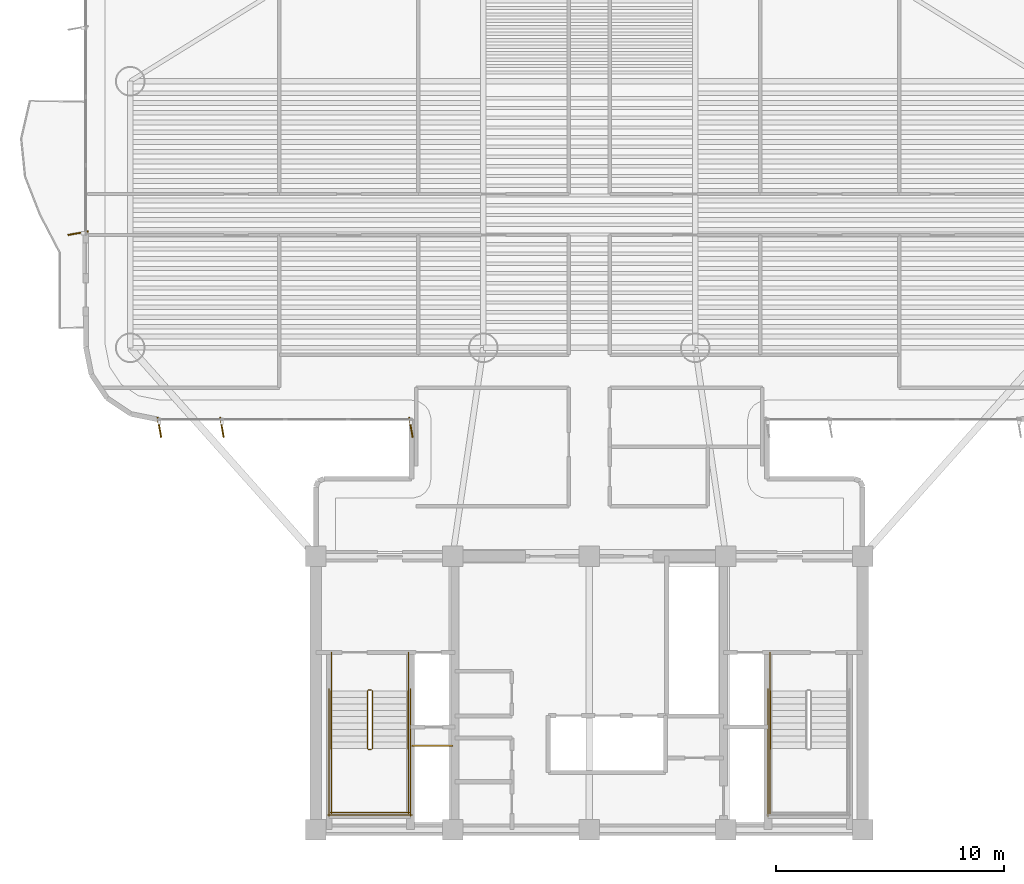
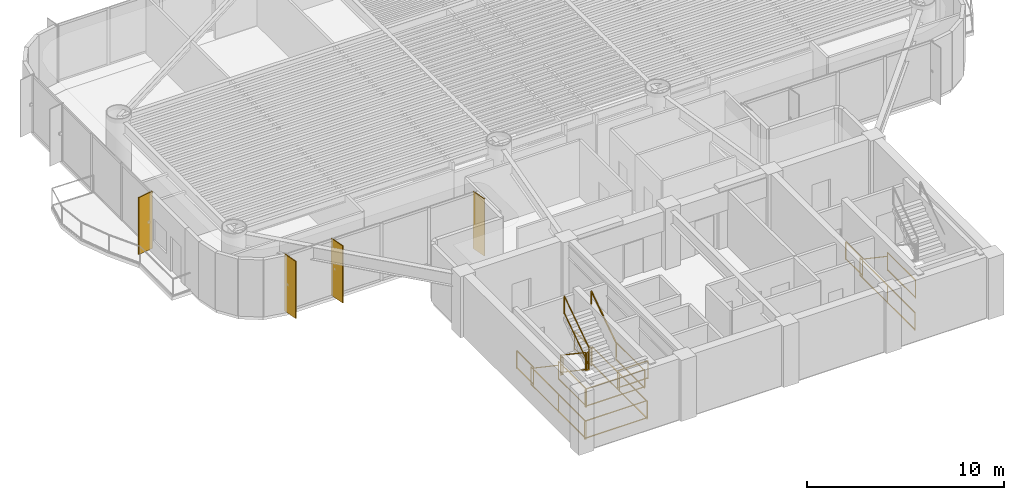
# One storey, part 13 of 16: 19 railings, 4 shading devices.
"""IFC4 building model written with IfcOpenShell, lengths in metres."""

from ifc_helpers import new_model, si_unit, direction, frame, origin, origin_2d, place, context, subcontext, project, spatial, rectangle, extrude, source, transform, mapped, material, layer, layer_set, material_profile, profile_set, type_object, element, save


model = new_model("IFC4")

# Units and contexts
model_context = context("Model", 3, precision=1e-05, world=origin(), true_north=direction((0.0, 1.0)))
body_context = subcontext(model_context, "Body", "Model", "MODEL_VIEW")
ifc_project = project(units=[si_unit("LENGTHUNIT", "METRE"), si_unit("AREAUNIT", "SQUARE_METRE"), si_unit("VOLUMEUNIT", "CUBIC_METRE"), si_unit("PLANEANGLEUNIT", "RADIAN"), si_unit("MASSUNIT", "GRAM", prefix="KILO")], contexts=[model_context])

# Site, building, storey
site_placement = place(None, origin())
site = spatial("IfcSite", under=ifc_project, at=site_placement, CompositionType="ELEMENT")
building_placement = place(site_placement, origin())
building = spatial("IfcBuilding", under=site, at=building_placement, Name="Brelvock Crest Care Tower", CompositionType="ELEMENT")
storey_placement = place(building_placement, frame((0.0, 0.0, 116.280029296875)))
storey = spatial("IfcBuildingStorey", under=building, at=storey_placement, Name="L29", CompositionType="ELEMENT", Elevation=116.280029296875)

# Railings
ifc_material_1 = material(Name="Steel Grade 350", Category="steel")
ifc_layer_1 = layer(ifc_material_1, 0.050048828125, Name="RL-STG1")
ifc_layer_set_1 = layer_set([ifc_layer_1], Name="Steel Grade 350")
railing_type_1 = type_object("IfcRailingType", Name="RL-STG1", PredefinedType="GUARDRAIL", material=ifc_layer_set_1)
railing_1_placement = place(storey_placement, frame((26.260009765625, 12.080078125, 0.18896484375)))
element("IfcRailing", 1, at=railing_1_placement, inside=storey, type_object=railing_type_1, Name="L29 ST-1 stair guard 1", PredefinedType="GUARDRAIL", context=body_context, shape_type="SweptSolid", body=[
    extrude(rectangle(XDim=0.048095703125, YDim=0.048095703125, at=origin_2d()), frame((0.0, -0.001708984375, 1.116943359375), z_axis=(0.0, -0.828861706735, 0.559453546873), x_axis=(1.0, 0.0, 0.0)), (0.0, 0.0, 1.0), 3.036376953125),
    extrude(rectangle(XDim=0.048095703125, YDim=0.048095703125, at=origin_2d()), frame((0.0, -0.001708984375, 0.05615234375), z_axis=(0.0, -0.828861706735, 0.559453546873), x_axis=(1.0, 0.0, 0.0)), (0.0, 0.0, 1.0), 3.036376953125),
    extrude(rectangle(XDim=0.0419921875, YDim=0.0419921875, at=origin_2d()), origin(), (0.0, 0.0, 1.0), 1.08984375),
    extrude(rectangle(XDim=0.0419921875, YDim=0.0419921875, at=origin_2d()), frame((0.0, -2.52001953125, 1.700927734375)), (0.0, 0.0, 1.0), 1.08984375),
])
railing_2_placement = place(storey_placement, frame((26.31005859375, 9.510009765625, 1.889892578125)))
element("IfcRailing", 2, at=railing_2_placement, inside=storey, type_object=railing_type_1, Name="L29 ST-1 stair guard 2", PredefinedType="GUARDRAIL", context=body_context, shape_type="SweptSolid", body=[
    extrude(rectangle(XDim=0.048095703125, YDim=0.048095703125, at=origin_2d()), frame((0.001953125, 0.0, 1.11572265625), z_axis=(1.0, 0.0, 0.0), x_axis=(0.0, 1.0, 0.0)), (0.0, 0.0, 1.0), 0.115966796875),
    extrude(rectangle(XDim=0.048095703125, YDim=0.048095703125, at=origin_2d()), frame((0.001953125, 0.0, 0.054931640625), z_axis=(1.0, 0.0, 0.0), x_axis=(0.0, 1.0, 0.0)), (0.0, 0.0, 1.0), 0.115966796875),
    extrude(rectangle(XDim=0.0419921875, YDim=0.0419921875, at=origin_2d()), origin(), (0.0, 0.0, 1.0), 1.08984375),
    extrude(rectangle(XDim=0.0419921875, YDim=0.0419921875, at=origin_2d()), frame((0.119873046875, 0.0, 0.0)), (0.0, 0.0, 1.0), 1.08984375),
])
for number, where, name in (
    (3, (24.679931640625, 9.56005859375, 1.889892578125), "L29 ST-1 stair guard 3"),
    (4, (28.06005859375, 9.56005859375, 1.889892578125), "L29 ST-1 stair guard 4"),
):
    element("IfcRailing", number, at=place(storey_placement, frame(where)), inside=storey, type_object=railing_type_1, Name=name, PredefinedType="GUARDRAIL", context=body_context, shape_type="SweptSolid", body=[
        extrude(rectangle(XDim=0.048095703125, YDim=0.048095703125, at=origin_2d()), frame((0.0, -0.001953125, 1.11572265625), z_axis=(0.0, -1.0, 0.0), x_axis=(1.0, 0.0, 0.0)), (0.0, 0.0, 1.0), 2.856201171875),
        extrude(rectangle(XDim=0.048095703125, YDim=0.048095703125, at=origin_2d()), frame((0.0, -0.001953125, 0.054931640625), z_axis=(0.0, -1.0, 0.0), x_axis=(1.0, 0.0, 0.0)), (0.0, 0.0, 1.0), 2.856201171875),
        extrude(rectangle(XDim=0.0419921875, YDim=0.0419921875, at=origin_2d()), origin(), (0.0, 0.0, 1.0), 1.08984375),
        extrude(rectangle(XDim=0.0419921875, YDim=0.0419921875, at=origin_2d()), frame((0.0, -2.860107421875, 0.0)), (0.0, 0.0, 1.0), 1.08984375),
    ])
railing_3_placement = place(storey_placement, frame((24.6298828125, 6.75, 1.889892578125)))
element("IfcRailing", 5, at=railing_3_placement, inside=storey, type_object=railing_type_1, Name="L29 ST-1 stair guard 5", PredefinedType="GUARDRAIL", context=body_context, shape_type="SweptSolid", body=[
    extrude(rectangle(XDim=0.048095703125, YDim=0.048095703125, at=origin_2d()), frame((0.001953125, 0.0, 1.11572265625), z_axis=(1.0, 0.0, 0.0), x_axis=(0.0, 1.0, 0.0)), (0.0, 0.0, 1.0), 3.476318359375),
    extrude(rectangle(XDim=0.048095703125, YDim=0.048095703125, at=origin_2d()), frame((0.001953125, 0.0, 0.054931640625), z_axis=(1.0, 0.0, 0.0), x_axis=(0.0, 1.0, 0.0)), (0.0, 0.0, 1.0), 3.476318359375),
    extrude(rectangle(XDim=0.0419921875, YDim=0.0419921875, at=origin_2d()), origin(), (0.0, 0.0, 1.0), 1.08984375),
    extrude(rectangle(XDim=0.0419921875, YDim=0.0419921875, at=origin_2d()), frame((3.480224609375, 0.0, 0.0)), (0.0, 0.0, 1.0), 1.08984375),
])
railing_4_placement = place(storey_placement, frame((26.47998046875, 9.56005859375, 2.078857421875)))
element("IfcRailing", 6, at=railing_4_placement, inside=storey, type_object=railing_type_1, Name="L29 ST-1 stair guard 6", PredefinedType="GUARDRAIL", context=body_context, shape_type="SweptSolid", body=[
    extrude(rectangle(XDim=0.048095703125, YDim=0.048095703125, at=origin_2d()), frame((0.0, 0.001708984375, 1.116943359375), z_axis=(0.0, 0.82882447046, 0.559508710537), x_axis=(-1.0, 0.0, 0.0)), (0.0, 0.0, 1.0), 3.036376953125),
    extrude(rectangle(XDim=0.048095703125, YDim=0.048095703125, at=origin_2d()), frame((0.0, 0.001708984375, 0.05615234375), z_axis=(0.0, 0.82882447046, 0.559508710537), x_axis=(-1.0, 0.0, 0.0)), (0.0, 0.0, 1.0), 3.036376953125),
    extrude(rectangle(XDim=0.0419921875, YDim=0.0419921875, at=origin_2d()), origin(), (0.0, 0.0, 1.0), 1.08984375),
    extrude(rectangle(XDim=0.0419921875, YDim=0.0419921875, at=origin_2d()), frame((0.0, 2.52001953125, 1.701171875)), (0.0, 0.0, 1.0), 1.08984375),
])
railing_5_placement = place(storey_placement, frame((26.31005859375, 12.1298828125, 0.0)))
element("IfcRailing", 7, at=railing_5_placement, inside=storey, type_object=railing_type_1, Name="L29 ST-1 stair guard 7", PredefinedType="GUARDRAIL", context=body_context, shape_type="SweptSolid", body=[
    extrude(rectangle(XDim=0.048095703125, YDim=0.048095703125, at=origin_2d()), frame((0.001953125, 0.0, 1.11572265625), z_axis=(1.0, 0.0, 0.0), x_axis=(0.0, 1.0, 0.0)), (0.0, 0.0, 1.0), 0.115966796875),
    extrude(rectangle(XDim=0.048095703125, YDim=0.048095703125, at=origin_2d()), frame((0.001953125, 0.0, 0.054931640625), z_axis=(1.0, 0.0, 0.0), x_axis=(0.0, 1.0, 0.0)), (0.0, 0.0, 1.0), 0.115966796875),
    extrude(rectangle(XDim=0.0419921875, YDim=0.0419921875, at=origin_2d()), origin(), (0.0, 0.0, 1.0), 1.08984375),
    extrude(rectangle(XDim=0.0419921875, YDim=0.0419921875, at=origin_2d()), frame((0.119873046875, 0.0, 0.0)), (0.0, 0.0, 1.0), 1.08984375),
])
for number, where, name in (
    (8, (24.679931640625, 13.780029296875, 0.0), "L29 ST-1 stair guard 8"),
    (9, (28.06005859375, 13.780029296875, 0.0), "L29 ST-1 stair guard 9"),
):
    element("IfcRailing", number, at=place(storey_placement, frame(where)), inside=storey, type_object=railing_type_1, Name=name, PredefinedType="GUARDRAIL", context=body_context, shape_type="SweptSolid", body=[
        extrude(rectangle(XDim=0.048095703125, YDim=0.048095703125, at=origin_2d()), frame((0.0, -0.001953125, 1.11572265625), z_axis=(0.0, -1.0, 0.0), x_axis=(1.0, 0.0, 0.0)), (0.0, 0.0, 1.0), 1.696044921875),
        extrude(rectangle(XDim=0.048095703125, YDim=0.048095703125, at=origin_2d()), frame((0.0, -0.001953125, 0.054931640625), z_axis=(0.0, -1.0, 0.0), x_axis=(1.0, 0.0, 0.0)), (0.0, 0.0, 1.0), 1.696044921875),
        extrude(rectangle(XDim=0.0419921875, YDim=0.0419921875, at=origin_2d()), origin(), (0.0, 0.0, 1.0), 1.08984375),
        extrude(rectangle(XDim=0.0419921875, YDim=0.0419921875, at=origin_2d()), frame((0.0, -1.699951171875, 0.0)), (0.0, 0.0, 1.0), 1.08984375),
    ])
for number, where, name in (
    (10, (24.580078125, 12.179931640625, 0.0), "L29 ST-1 stair guard 10"),
    (11, (28.159912109375, 12.179931640625, 0.0), "L29 ST-1 stair guard 11"),
):
    element("IfcRailing", number, at=place(storey_placement, frame(where)), inside=storey, type_object=railing_type_1, Name=name, PredefinedType="GUARDRAIL", context=body_context, shape_type="SweptSolid", body=[
        extrude(rectangle(XDim=0.048095703125, YDim=0.048095703125, at=origin_2d()), frame((0.0, -0.001953125, 1.11572265625), z_axis=(0.0, -1.0, 0.0), x_axis=(1.0, 0.0, 0.0)), (0.0, 0.0, 1.0), 5.575927734375),
        extrude(rectangle(XDim=0.048095703125, YDim=0.048095703125, at=origin_2d()), frame((0.0, -0.001953125, 0.054931640625), z_axis=(0.0, -1.0, 0.0), x_axis=(1.0, 0.0, 0.0)), (0.0, 0.0, 1.0), 5.575927734375),
        extrude(rectangle(XDim=0.0419921875, YDim=0.0419921875, at=origin_2d()), origin(), (0.0, 0.0, 1.0), 1.08984375),
        extrude(rectangle(XDim=0.0419921875, YDim=0.0419921875, at=origin_2d()), frame((0.0, -2.7900390625, 0.0)), (0.0, 0.0, 1.0), 1.08984375),
        extrude(rectangle(XDim=0.0419921875, YDim=0.0419921875, at=origin_2d()), frame((0.0, -5.579833984375, 0.0)), (0.0, 0.0, 1.0), 1.08984375),
    ])
railing_6_placement = place(storey_placement, frame((24.530029296875, 6.64990234375, 0.0)))
element("IfcRailing", 12, at=railing_6_placement, inside=storey, type_object=railing_type_1, Name="L29 ST-1 stair guard 12", PredefinedType="GUARDRAIL", context=body_context, shape_type="SweptSolid", body=[
    extrude(rectangle(XDim=0.048095703125, YDim=0.048095703125, at=origin_2d()), frame((0.001953125, 0.0, 1.11572265625), z_axis=(1.0, 0.0, 0.0), x_axis=(0.0, 1.0, 0.0)), (0.0, 0.0, 1.0), 3.676025390625),
    extrude(rectangle(XDim=0.048095703125, YDim=0.048095703125, at=origin_2d()), frame((0.001953125, 0.0, 0.054931640625), z_axis=(1.0, 0.0, 0.0), x_axis=(0.0, 1.0, 0.0)), (0.0, 0.0, 1.0), 3.676025390625),
    extrude(rectangle(XDim=0.0419921875, YDim=0.0419921875, at=origin_2d()), origin(), (0.0, 0.0, 1.0), 1.08984375),
    extrude(rectangle(XDim=0.0419921875, YDim=0.0419921875, at=origin_2d()), frame((3.679931640625, 0.0, 0.0)), (0.0, 0.0, 1.0), 1.08984375),
])
railing_7_placement = place(storey_placement, frame((43.93994140625, 9.56005859375, 1.889892578125)))
element("IfcRailing", 13, at=railing_7_placement, inside=storey, type_object=railing_type_1, Name="L29 ST-2 stair guard 3", PredefinedType="GUARDRAIL", context=body_context, shape_type="SweptSolid", body=[
    extrude(rectangle(XDim=0.048095703125, YDim=0.048095703125, at=origin_2d()), frame((0.0, -0.001953125, 1.11572265625), z_axis=(0.0, -1.0, 0.0), x_axis=(1.0, 0.0, 0.0)), (0.0, 0.0, 1.0), 2.856201171875),
    extrude(rectangle(XDim=0.048095703125, YDim=0.048095703125, at=origin_2d()), frame((0.0, -0.001953125, 0.054931640625), z_axis=(0.0, -1.0, 0.0), x_axis=(1.0, 0.0, 0.0)), (0.0, 0.0, 1.0), 2.856201171875),
    extrude(rectangle(XDim=0.0419921875, YDim=0.0419921875, at=origin_2d()), origin(), (0.0, 0.0, 1.0), 1.08984375),
    extrude(rectangle(XDim=0.0419921875, YDim=0.0419921875, at=origin_2d()), frame((0.0, -2.860107421875, 0.0)), (0.0, 0.0, 1.0), 1.08984375),
])
railing_8_placement = place(storey_placement, frame((43.93994140625, 13.780029296875, 0.0)))
element("IfcRailing", 14, at=railing_8_placement, inside=storey, type_object=railing_type_1, Name="L29 ST-2 stair guard 8", PredefinedType="GUARDRAIL", context=body_context, shape_type="SweptSolid", body=[
    extrude(rectangle(XDim=0.048095703125, YDim=0.048095703125, at=origin_2d()), frame((0.0, -0.001953125, 1.11572265625), z_axis=(0.0, -1.0, 0.0), x_axis=(1.0, 0.0, 0.0)), (0.0, 0.0, 1.0), 1.696044921875),
    extrude(rectangle(XDim=0.048095703125, YDim=0.048095703125, at=origin_2d()), frame((0.0, -0.001953125, 0.054931640625), z_axis=(0.0, -1.0, 0.0), x_axis=(1.0, 0.0, 0.0)), (0.0, 0.0, 1.0), 1.696044921875),
    extrude(rectangle(XDim=0.0419921875, YDim=0.0419921875, at=origin_2d()), origin(), (0.0, 0.0, 1.0), 1.08984375),
    extrude(rectangle(XDim=0.0419921875, YDim=0.0419921875, at=origin_2d()), frame((0.0, -1.699951171875, 0.0)), (0.0, 0.0, 1.0), 1.08984375),
])
railing_9_placement = place(storey_placement, frame((43.840087890625, 12.179931640625, 0.0)))
element("IfcRailing", 15, at=railing_9_placement, inside=storey, type_object=railing_type_1, Name="L29 ST-2 stair guard 10", PredefinedType="GUARDRAIL", context=body_context, shape_type="SweptSolid", body=[
    extrude(rectangle(XDim=0.048095703125, YDim=0.048095703125, at=origin_2d()), frame((0.0, -0.001953125, 1.11572265625), z_axis=(0.0, -1.0, 0.0), x_axis=(1.0, 0.0, 0.0)), (0.0, 0.0, 1.0), 5.575927734375),
    extrude(rectangle(XDim=0.048095703125, YDim=0.048095703125, at=origin_2d()), frame((0.0, -0.001953125, 0.054931640625), z_axis=(0.0, -1.0, 0.0), x_axis=(1.0, 0.0, 0.0)), (0.0, 0.0, 1.0), 5.575927734375),
    extrude(rectangle(XDim=0.0419921875, YDim=0.0419921875, at=origin_2d()), origin(), (0.0, 0.0, 1.0), 1.08984375),
    extrude(rectangle(XDim=0.0419921875, YDim=0.0419921875, at=origin_2d()), frame((0.0, -2.7900390625, 0.0)), (0.0, 0.0, 1.0), 1.08984375),
    extrude(rectangle(XDim=0.0419921875, YDim=0.0419921875, at=origin_2d()), frame((0.0, -5.579833984375, 0.0)), (0.0, 0.0, 1.0), 1.08984375),
])
railing_10_placement = place(storey_placement, frame((28.219970703125, 9.679931640625, 0.0)))
element("IfcRailing", 16, at=railing_10_placement, inside=storey, type_object=railing_type_1, Name="L29 Fire Riser Threshold Guard", PredefinedType="GUARDRAIL", context=body_context, shape_type="SweptSolid", body=[
    extrude(rectangle(XDim=0.048095703125, YDim=0.048095703125, at=origin_2d()), frame((0.001953125, 0.0, 1.11572265625), z_axis=(1.0, 0.0, 0.0), x_axis=(0.0, 1.0, 0.0)), (0.0, 0.0, 1.0), 1.776123046875),
    extrude(rectangle(XDim=0.048095703125, YDim=0.048095703125, at=origin_2d()), frame((0.001953125, 0.0, 0.054931640625), z_axis=(1.0, 0.0, 0.0), x_axis=(0.0, 1.0, 0.0)), (0.0, 0.0, 1.0), 1.776123046875),
    extrude(rectangle(XDim=0.0419921875, YDim=0.0419921875, at=origin_2d()), origin(), (0.0, 0.0, 1.0), 1.08984375),
    extrude(rectangle(XDim=0.0419921875, YDim=0.0419921875, at=origin_2d()), frame((1.780029296875, 0.0, 0.0)), (0.0, 0.0, 1.0), 1.08984375),
])
ifc_layer_2 = layer(ifc_material_1, 0.048095703125, Name="RL-STH1")
ifc_layer_set_2 = layer_set([ifc_layer_2], Name="Steel Grade 350")
railing_type_2 = type_object("IfcRailingType", Name="RL-STH1", PredefinedType="HANDRAIL", material=ifc_layer_set_2)
railing_11_placement = place(storey_placement, frame((24.679931640625, 12.080078125, 0.18896484375)))
element("IfcRailing", 17, at=railing_11_placement, inside=storey, type_object=railing_type_2, Name="L29 ST-1 stair handrail 1", PredefinedType="HANDRAIL", context=body_context, shape_type="SweptSolid", body=[
    extrude(rectangle(XDim=0.048095703125, YDim=0.048095703125, at=origin_2d()), frame((0.0, -0.001708984375, 0.876953125), z_axis=(0.0, -0.828861706735, 0.559453546873), x_axis=(1.0, 0.0, 0.0)), (0.0, 0.0, 1.0), 3.036376953125),
    extrude(rectangle(XDim=0.0419921875, YDim=0.0419921875, at=origin_2d()), origin(), (0.0, 0.0, 1.0), 0.849853515625),
    extrude(rectangle(XDim=0.0419921875, YDim=0.0419921875, at=origin_2d()), frame((0.0, -2.52001953125, 1.700927734375)), (0.0, 0.0, 1.0), 0.849853515625),
])
railing_12_placement = place(storey_placement, frame((28.06005859375, 9.56005859375, 2.078857421875)))
element("IfcRailing", 18, at=railing_12_placement, inside=storey, type_object=railing_type_2, Name="L29 ST-1 stair handrail 2", PredefinedType="HANDRAIL", context=body_context, shape_type="SweptSolid", body=[
    extrude(rectangle(XDim=0.048095703125, YDim=0.048095703125, at=origin_2d()), frame((0.0, 0.001708984375, 0.876953125), z_axis=(0.0, 0.82882447046, 0.559508710537), x_axis=(-1.0, 0.0, 0.0)), (0.0, 0.0, 1.0), 3.036376953125),
    extrude(rectangle(XDim=0.0419921875, YDim=0.0419921875, at=origin_2d()), origin(), (0.0, 0.0, 1.0), 0.849853515625),
    extrude(rectangle(XDim=0.0419921875, YDim=0.0419921875, at=origin_2d()), frame((0.0, 2.52001953125, 1.701171875)), (0.0, 0.0, 1.0), 0.849853515625),
])
railing_13_placement = place(storey_placement, frame((43.93994140625, 12.080078125, 0.18896484375)))
element("IfcRailing", 19, at=railing_13_placement, inside=storey, type_object=railing_type_2, Name="L29 ST-2 stair handrail 1", PredefinedType="HANDRAIL", context=body_context, shape_type="SweptSolid", body=[
    extrude(rectangle(XDim=0.048095703125, YDim=0.048095703125, at=origin_2d()), frame((0.0, -0.001708984375, 0.876953125), z_axis=(0.0, -0.828861706735, 0.559453546873), x_axis=(1.0, 0.0, 0.0)), (0.0, 0.0, 1.0), 3.036376953125),
    extrude(rectangle(XDim=0.0419921875, YDim=0.0419921875, at=origin_2d()), origin(), (0.0, 0.0, 1.0), 0.849853515625),
    extrude(rectangle(XDim=0.0419921875, YDim=0.0419921875, at=origin_2d()), frame((0.0, -2.52001953125, 1.700927734375)), (0.0, 0.0, 1.0), 0.849853515625),
])

# Shading devices
ifc_material_2 = material(Name="Aluminium 6063-T6", Category="aluminium")
ifc_material_profile = material_profile(ifc_material_2, rectangle(XDim=0.054931640625, YDim=0.89990234375, at=origin_2d()), Name="FIN55x900")
ifc_profile_set = profile_set([ifc_material_profile], Name="Aluminium 6063-T6")
shading_device_type = type_object("IfcShadingDeviceType", Name="SHD-FIN1", PredefinedType="USERDEFINED", material=ifc_profile_set)
shared_shape = source(origin(), body_context, "Body", "SweptSolid", [
    extrude(rectangle(XDim=0.054931640625, YDim=0.89990234375, at=origin_2d()), origin(), (0.0, 0.0, 1.0), 3.530029296875),
])
for number, where, z_axis, x_axis, name in (
    (20, (28.169921875, 23.659912109375, 0.0), (0.0, 0.0, 1.0), (-0.984807753012, -0.173648177667, 0.0), "L29 Vertical Sunshade Fin E12-01"),
    (21, (19.875, 23.659912109375, 0.0), (0.0, 0.0, 1.0), (-0.984807753012, -0.173648177667, 0.0), "L29 Vertical Sunshade Fin E12-04"),
    (22, (17.1298828125, 23.659912109375, 0.0), (0.0, 0.0, 1.0), (-0.984807753012, -0.173648177667, 0.0), "L29 Vertical Sunshade Fin E12-05"),
    (23, (13.56005859375, 32.179931640625, 0.0), (0.0, 0.0, 1.0), (-0.173648177667, 0.984807753012, 0.0), "L29 Vertical Sunshade Fin E17B-01"),
):
    element("IfcShadingDevice", number, at=place(storey_placement, frame(where, z_axis=z_axis, x_axis=x_axis)), inside=storey, type_object=shading_device_type, Name=name, ObjectType="FIN", PredefinedType="USERDEFINED", context=body_context, shape_type="MappedRepresentation", body=[
        mapped(shared_shape, transform((0.0, 0.0, 0.0), x_axis=(1.0, 0.0, 0.0), y_axis=(0.0, 1.0, 0.0), z_axis=(0.0, 0.0, 1.0), scale=1.0)),
    ])

save(model, "model.ifc")
